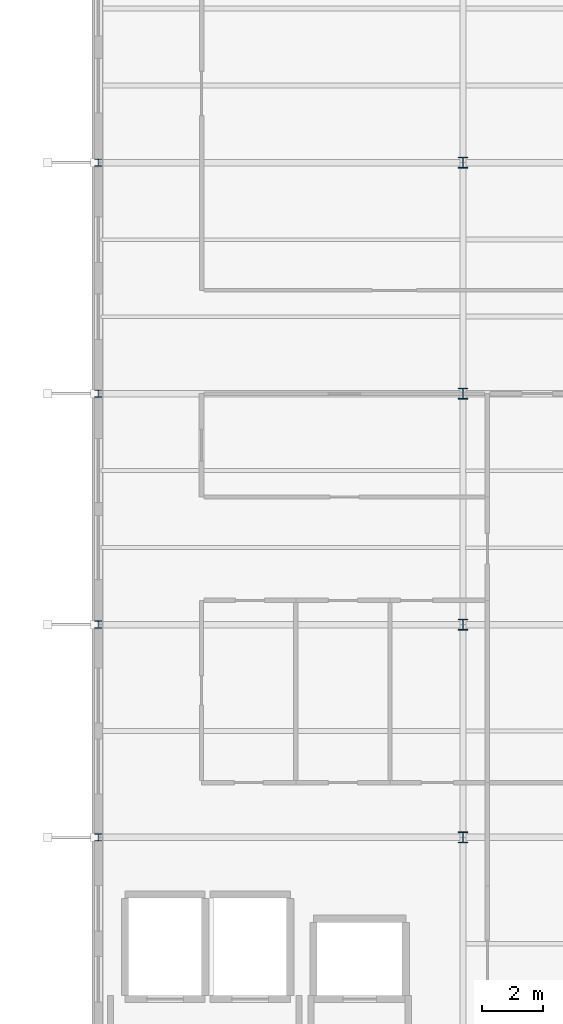
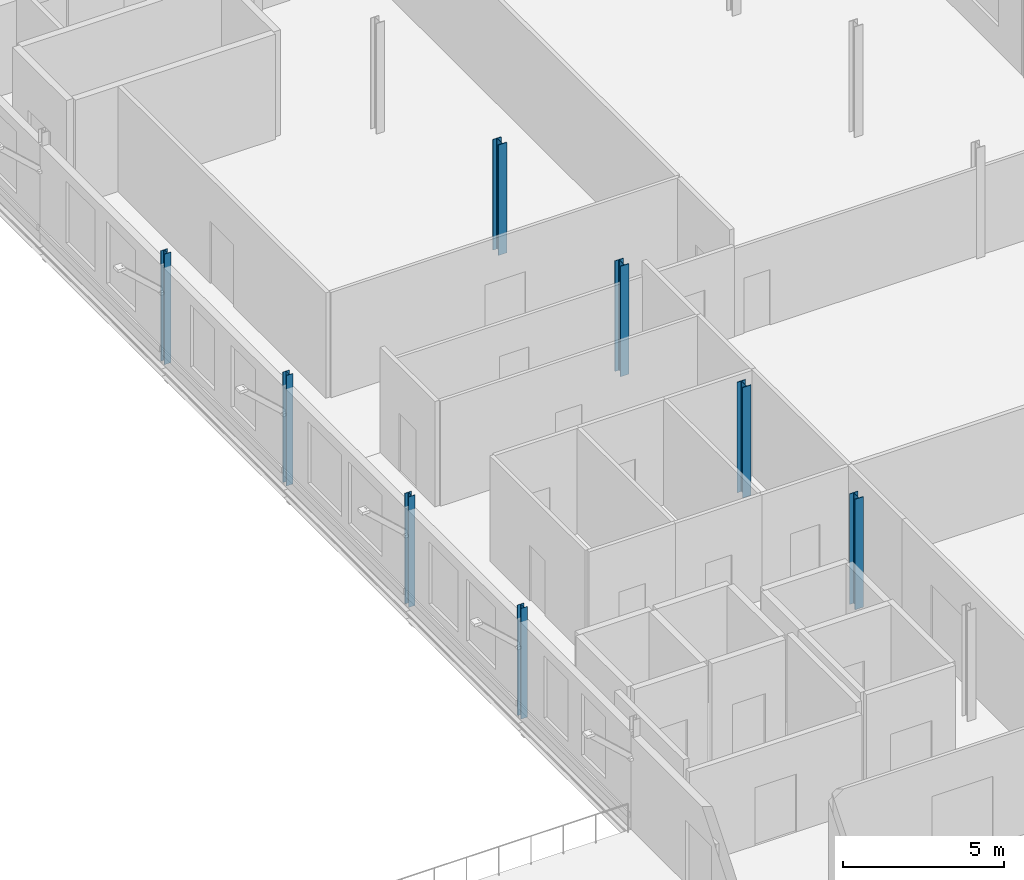
# One storey, part 7 of 25: 8 columns.
"""IFC4 building model written with IfcOpenShell, lengths in metres."""

from ifc_helpers import new_model, si_unit, direction, frame, origin, origin_2d, place, context, subcontext, project, spatial, i_section, extrude, material, material_profile, profile_set, type_object, element, save


model = new_model("IFC4")

# Units and contexts
model_context = context("Model", 3, precision=1e-05, world=origin(), true_north=direction((0.0, 1.0)))
body_context = subcontext(model_context, "Body", "Model", "MODEL_VIEW")
ifc_project = project(units=[si_unit("LENGTHUNIT", "METRE"), si_unit("AREAUNIT", "SQUARE_METRE"), si_unit("VOLUMEUNIT", "CUBIC_METRE"), si_unit("PLANEANGLEUNIT", "RADIAN"), si_unit("MASSUNIT", "GRAM", prefix="KILO")], contexts=[model_context])

# Site, building, storey
site_placement = place(None, origin())
site = spatial("IfcSite", under=ifc_project, at=site_placement, CompositionType="ELEMENT")
building_placement = place(site_placement, origin())
building = spatial("IfcBuilding", under=site, at=building_placement, Name="Vekula Escarpment Museum", CompositionType="ELEMENT")
storey_placement = place(building_placement, frame((0.0, 0.0, 26.39990234375)))
storey = spatial("IfcBuildingStorey", under=building, at=storey_placement, Name="L06", CompositionType="ELEMENT", Elevation=26.39990234375)

# Columns
ifc_material_1 = material(Name="Steel S355", Category="steel")
ifc_material_profile_1 = material_profile(ifc_material_1, i_section(OverallWidth=0.239990234375, OverallDepth=0.22998046875, WebThickness=0.007568359375, FlangeThickness=0.011962890625, FilletRadius=0.02099609375, at=origin_2d()), Name="HEA 240")
ifc_profile_set_1 = profile_set([ifc_material_profile_1], Name="Steel S355")
column_type_1 = type_object("IfcColumnType", Name="COL-S-HEA240", PredefinedType="COLUMN", material=ifc_profile_set_1)
for number, where, z_axis, x_axis, name in (
    (1, (167.0, 83.39990234375, 0.0), (0.0, 0.0, 1.0), (1.0, 0.0, 0.0), "Column L06 (167.0,83.4)"),
    (2, (167.0, 98.0, 0.0), (0.0, 0.0, 1.0), (1.0, 0.0, 0.0), "Column L06 (167.0,98.0)"),
    (3, (167.0, 105.60009765625, 0.0), (0.0, 0.0, 1.0), (1.0, 0.0, 0.0), "Column L06 (167.0,105.6)"),
):
    element("IfcColumn", number, at=place(storey_placement, frame(where, z_axis=z_axis, x_axis=x_axis)), inside=storey, type_object=column_type_1, Name=name, PredefinedType="COLUMN", context=body_context, shape_type="SweptSolid", body=[
        extrude(i_section(OverallWidth=0.239990234375, OverallDepth=0.22998046875, WebThickness=0.007568359375, FlangeThickness=0.011962890625, FilletRadius=0.02099609375, at=origin_2d()), origin(), (0.0, 0.0, 1.0), 4.2001953125),
    ])
ifc_material_2 = material(Name="Steel S355", Category="steel")
ifc_material_profile_2 = material_profile(ifc_material_2, i_section(OverallWidth=0.239990234375, OverallDepth=0.239990234375, WebThickness=0.010009765625, FlangeThickness=0.01708984375, FilletRadius=0.02099609375, at=origin_2d()), Name="HEB 240")
ifc_profile_set_2 = profile_set([ifc_material_profile_2], Name="Steel S355")
column_type_2 = type_object("IfcColumnType", Name="COL-S-HEB240", PredefinedType="COLUMN", material=ifc_profile_set_2)
column_placement = place(storey_placement, frame((167.0, 90.39990234375, 0.0), z_axis=(0.0, 0.0, 1.0), x_axis=(1.0, 0.0, 0.0)))
element("IfcColumn", 4, at=column_placement, inside=storey, type_object=column_type_2, Name="Column L06 (167.0,90.4)", PredefinedType="COLUMN", context=body_context, shape_type="SweptSolid", body=[
    extrude(i_section(OverallWidth=0.239990234375, OverallDepth=0.239990234375, WebThickness=0.010009765625, FlangeThickness=0.01708984375, FilletRadius=0.02099609375, at=origin_2d()), origin(), (0.0, 0.0, 1.0), 4.2001953125),
])
ifc_material_3 = material(Name="Steel S355", Category="steel")
ifc_material_profile_3 = material_profile(ifc_material_3, i_section(OverallWidth=0.300048828125, OverallDepth=0.360107421875, WebThickness=0.012451171875, FlangeThickness=0.0224609375, FilletRadius=0.027099609375, at=origin_2d()), Name="HEB 360")
ifc_profile_set_3 = profile_set([ifc_material_profile_3], Name="Steel S355")
column_type_3 = type_object("IfcColumnType", Name="COL-S-HEB360", PredefinedType="COLUMN", material=ifc_profile_set_3)
for number, where, z_axis, x_axis, name in (
    (5, (179.0, 83.39990234375, 0.0), (0.0, 0.0, 1.0), (1.0, 0.0, 0.0), "Column L06 (179.0,83.4)"),
    (6, (179.0, 90.39990234375, 0.0), (0.0, 0.0, 1.0), (1.0, 0.0, 0.0), "Column L06 (179.0,90.4)"),
    (7, (179.0, 98.0, 0.0), (0.0, 0.0, 1.0), (1.0, 0.0, 0.0), "Column L06 (179.0,98.0)"),
    (8, (179.0, 105.60009765625, 0.0), (0.0, 0.0, 1.0), (1.0, 0.0, 0.0), "Column L06 (179.0,105.6)"),
):
    element("IfcColumn", number, at=place(storey_placement, frame(where, z_axis=z_axis, x_axis=x_axis)), inside=storey, type_object=column_type_3, Name=name, PredefinedType="COLUMN", context=body_context, shape_type="SweptSolid", body=[
        extrude(i_section(OverallWidth=0.300048828125, OverallDepth=0.360107421875, WebThickness=0.012451171875, FlangeThickness=0.0224609375, FilletRadius=0.027099609375, at=origin_2d()), origin(), (0.0, 0.0, 1.0), 4.2001953125),
    ])

save(model, "model.ifc")
